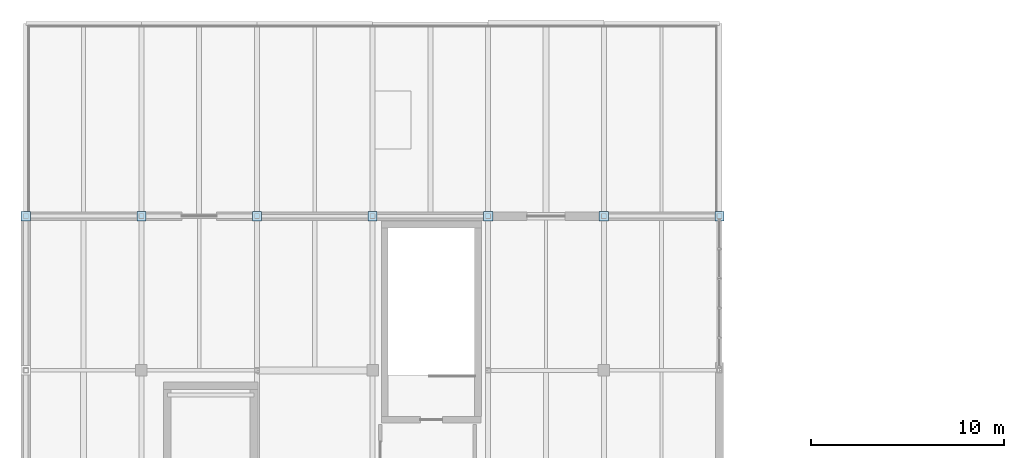
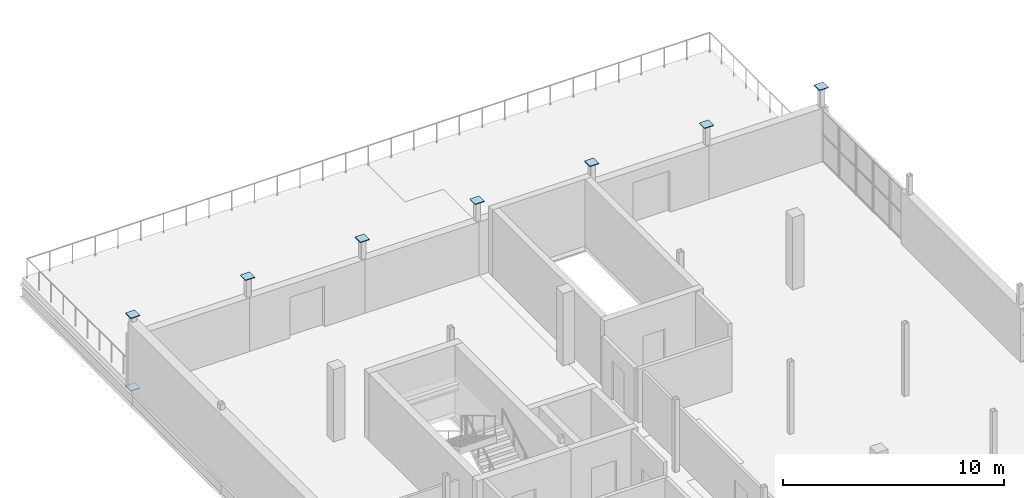
# One storey, part 28 of 35: 8 plates.
"""IFC4 building model written with IfcOpenShell, lengths in metres."""

from ifc_helpers import new_model, si_unit, direction, frame, origin, origin_2d, place, context, subcontext, project, spatial, rectangle, extrude, material, layer, layer_set, type_object, element, save


model = new_model("IFC4")

# Units and contexts
model_context = context("Model", 3, precision=1e-05, world=origin(), true_north=direction((0.0, 1.0)))
body_context = subcontext(model_context, "Body", "Model", "MODEL_VIEW")
ifc_project = project(units=[si_unit("LENGTHUNIT", "METRE"), si_unit("AREAUNIT", "SQUARE_METRE"), si_unit("VOLUMEUNIT", "CUBIC_METRE"), si_unit("PLANEANGLEUNIT", "RADIAN"), si_unit("MASSUNIT", "GRAM", prefix="KILO")], contexts=[model_context])

# Site, building, storey
site_placement = place(None, origin())
site = spatial("IfcSite", under=ifc_project, at=site_placement, CompositionType="ELEMENT")
building_placement = place(site_placement, origin())
building = spatial("IfcBuilding", under=site, at=building_placement, Name="Verrall Gate Interchange", CompositionType="ELEMENT")
storey_placement = place(building_placement, frame((0.0, 0.0, 15.39990234375)))
storey = spatial("IfcBuildingStorey", under=building, at=storey_placement, Name="L04", CompositionType="ELEMENT", Elevation=15.39990234375)

# Plates
ifc_material = material(Name="Structural Steel CSA G40.21 350WT Cat 4", Category="steel")
ifc_layer = layer(ifc_material, 0.0400390625)
ifc_layer_set = layer_set([ifc_layer], Name="Structural Steel CSA G40.21 350WT Cat 4")
plate_type = type_object("IfcPlateType", Name="BP-01 Base Plate 40", PredefinedType="USERDEFINED", material=ifc_layer_set)
for number, where, z_axis, x_axis, name in (
    (1, (0.0, 74.0, -0.02001953125), (0.0, 0.0, 1.0), (1.0, 0.0, 0.0), "L04 Hollow Column Transition Cap Plate 0090"),
    (2, (0.0, 74.0, 4.0), (0.0, 0.0, 1.0), (1.0, 0.0, 0.0), "L04 Hollow Column Top Cap Plate 0091"),
    (3, (6.0, 74.0, 4.0), (0.0, 0.0, 1.0), (1.0, 0.0, 0.0), "L04 Hollow Column Top Cap Plate 0236"),
    (4, (12.0, 74.0, 4.0), (0.0, 0.0, 1.0), (1.0, 0.0, 0.0), "L04 Hollow Column Top Cap Plate 0353"),
    (5, (18.0, 74.0, 4.0), (0.0, 0.0, 1.0), (1.0, 0.0, 0.0), "L04 Hollow Column Top Cap Plate 0470"),
    (6, (24.0, 74.0, 4.0), (0.0, 0.0, 1.0), (1.0, 0.0, 0.0), "L04 Hollow Column Top Cap Plate 0587"),
    (7, (30.0, 74.0, 4.0), (0.0, 0.0, 1.0), (1.0, 0.0, 0.0), "L04 Hollow Column Top Cap Plate 0704"),
    (8, (36.0, 74.0, 4.0), (0.0, 0.0, 1.0), (1.0, 0.0, 0.0), "L04 Hollow Column Top Cap Plate 0814"),
):
    element("IfcPlate", number, at=place(storey_placement, frame(where, z_axis=z_axis, x_axis=x_axis)), inside=storey, type_object=plate_type, Name=name, ObjectType="BASE_PLATE", PredefinedType="USERDEFINED", context=body_context, shape_type="SweptSolid", body=[
        extrude(rectangle(XDim=0.47998046875, YDim=0.47998046875, at=origin_2d()), origin(), (0.0, 0.0, 1.0), 0.0400390625),
    ])

save(model, "model.ifc")
